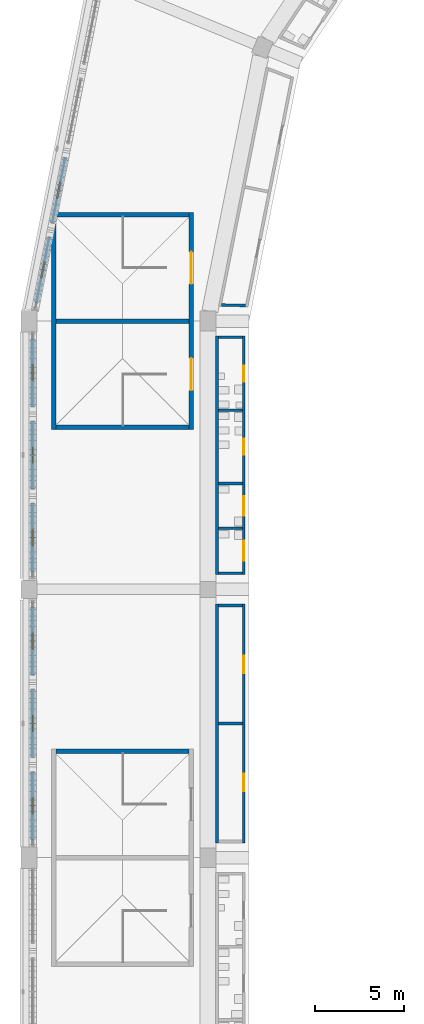
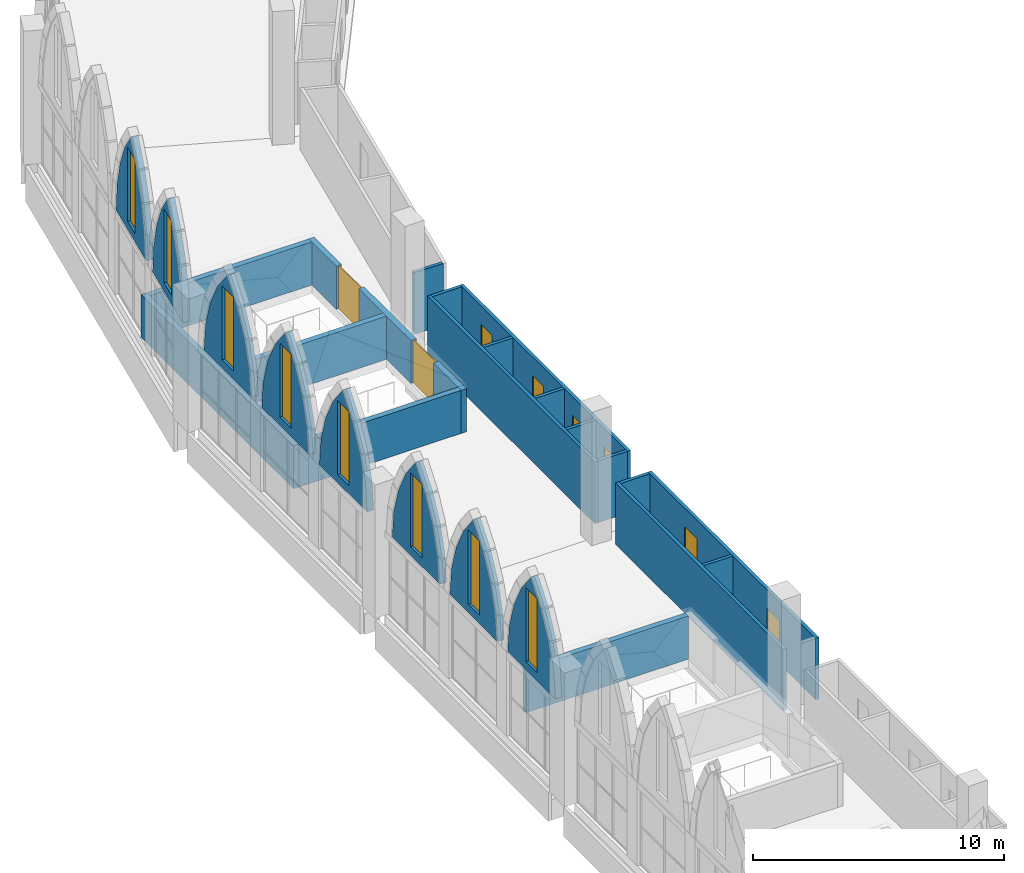
# One storey, part 77 of 130: 26 walls, 8 doors, 8 windows, 16 openings.
"""IFC4 building model written with IfcOpenShell, lengths in metres."""

from ifc_helpers import new_model, si_unit, direction, frame, frame_2d, origin, place, context, subcontext, project, spatial, polyline, rectangle, outline, extrude, material, layer, layer_set, type_object, element, fill, save


model = new_model("IFC4")

# Units and contexts
model_context = context("Model", 3, precision=1e-05, world=origin(), true_north=direction((0.0, 1.0)))
body_context = subcontext(model_context, "Body", "Model", "MODEL_VIEW")
ifc_project = project(units=[si_unit("LENGTHUNIT", "METRE"), si_unit("AREAUNIT", "SQUARE_METRE"), si_unit("VOLUMEUNIT", "CUBIC_METRE"), si_unit("PLANEANGLEUNIT", "RADIAN"), si_unit("MASSUNIT", "GRAM", prefix="KILO")], contexts=[model_context])

# Site, building, storey
site_placement = place(None, origin())
site = spatial("IfcSite", under=ifc_project, at=site_placement, CompositionType="ELEMENT")
building_placement = place(site_placement, origin())
building = spatial("IfcBuilding", under=site, at=building_placement, Name="Ogive Plaza Stadium", CompositionType="ELEMENT")
storey_placement = place(building_placement, frame((0.0, 0.0, 22.5)))
storey = spatial("IfcBuildingStorey", under=building, at=storey_placement, Name="L05", CompositionType="ELEMENT", Elevation=22.5)

# Wall, openings, doors
ifc_material_1 = material(Name="Masonry blockwork", Category="masonry")
ifc_layer_1 = layer(ifc_material_1, 0.14990234375)
ifc_layer_set_1 = layer_set([ifc_layer_1], Name="Blockwork wall 150")
wall_type_1 = type_object("IfcWallType", Name="Blockwork wall 150", PredefinedType="SOLIDWALL", material=ifc_layer_set_1)
wall_1_placement = place(storey_placement, frame((-72.0, 23.324951171875, 0.0), z_axis=(0.0, 0.0, 1.0), x_axis=(0.0, 1.0, 0.0)))
wall_1 = element("IfcWall", 1, at=wall_1_placement, inside=storey, type_object=wall_type_1, Name="Wall L05 B26", PredefinedType="SOLIDWALL", context=body_context, shape_type="SweptSolid", body=[
    extrude(rectangle(XDim=13.35009765625, YDim=0.14990234375, at=frame_2d((6.675048828125, 0.0))), origin(), (0.0, 0.0, 1.0), 3.0),
])
opening_1_placement = place(wall_1_placement, frame((2.875, 0.0, 0.0)))
opening_1 = element("IfcOpeningElement", 2, at=opening_1_placement, cuts=wall_1, Name="Opening D0993", PredefinedType="OPENING", context=body_context, shape_type="SweptSolid", body=[
    extrude(rectangle(XDim=1.0, YDim=2.10009765625, at=frame_2d((0.5, 1.050048828125))), frame((0.0, 0.074951171875, 0.0), z_axis=(0.0, -1.0, 0.0), x_axis=(1.0, 0.0, 0.0)), (0.0, 0.0, 1.0), 0.14990234375),
])
opening_2_placement = place(wall_1_placement, frame((9.47509765625, 0.0, 0.0)))
opening_2 = element("IfcOpeningElement", 3, at=opening_2_placement, cuts=wall_1, Name="Opening D0994", PredefinedType="OPENING", context=body_context, shape_type="SweptSolid", body=[
    extrude(rectangle(XDim=1.0, YDim=2.10009765625, at=frame_2d((0.5, 1.050048828125))), frame((0.0, 0.074951171875, 0.0), z_axis=(0.0, -1.0, 0.0), x_axis=(1.0, 0.0, 0.0)), (0.0, 0.0, 1.0), 0.14990234375),
])
ifc_material_2 = material(Name="Steel ASTM A572 Grade 50", Category="steel")
door_type_1 = type_object("IfcDoorType", Name="Door 1000 x 2100", OperationType="SINGLE_SWING_LEFT", PredefinedType="DOOR", material=ifc_material_2)
door_1_placement = place(opening_1_placement, origin())
door_1 = element("IfcDoor", 4, at=door_1_placement, inside=storey, type_object=door_type_1, Name="Concession Stand B26 door", OperationType="SINGLE_SWING_LEFT", OverallHeight=2.10009765625, OverallWidth=1.0, PredefinedType="DOOR", context=body_context, shape_type="SweptSolid", body=[
    extrude(rectangle(XDim=1.0, YDim=2.10009765625, at=frame_2d((0.5, 1.050048828125))), frame((0.0, 0.02490234375, 0.0), z_axis=(0.0, -1.0, 0.0), x_axis=(1.0, 0.0, 0.0)), (0.0, 0.0, 1.0), 0.050048828125),
])
fill(opening_1, door_1)
door_2_placement = place(opening_2_placement, origin())
door_2 = element("IfcDoor", 5, at=door_2_placement, inside=storey, type_object=door_type_1, Name="Concession Stand B26 door", OperationType="SINGLE_SWING_RIGHT", OverallHeight=2.10009765625, OverallWidth=1.0, PredefinedType="DOOR", context=body_context, shape_type="SweptSolid", body=[
    extrude(rectangle(XDim=1.0, YDim=2.10009765625, at=frame_2d((0.5, 1.050048828125))), frame((0.0, 0.02490234375, 0.0), z_axis=(0.0, -1.0, 0.0), x_axis=(1.0, 0.0, 0.0)), (0.0, 0.0, 1.0), 0.050048828125),
])
fill(opening_2, door_2)

# Walls
wall_2_placement = place(storey_placement, frame((-73.5, 23.324951171875, 0.0), z_axis=(0.0, 0.0, 1.0), x_axis=(0.0, 1.0, 0.0)))
element("IfcWall", 6, at=wall_2_placement, inside=storey, type_object=wall_type_1, Name="Wall L05 B26", PredefinedType="SOLIDWALL", context=body_context, shape_type="SweptSolid", body=[
    extrude(rectangle(XDim=13.35009765625, YDim=0.14990234375, at=frame_2d((6.675048828125, 0.0))), origin(), (0.0, 0.0, 1.0), 3.0),
])
for number, where, z_axis, x_axis, name in (
    (7, (-72.074951171875, 30.0, 0.0), (0.0, 0.0, 1.0), (-1.0, 0.0, 0.0), "Wall L05 B26"),
    (8, (-72.074951171875, 36.60009765625, 0.0), (0.0, 0.0, 1.0), (-1.0, 0.0, 0.0), "Wall L05 B26"),
):
    element("IfcWall", number, at=place(storey_placement, frame(where, z_axis=z_axis, x_axis=x_axis)), inside=storey, type_object=wall_type_1, Name=name, PredefinedType="SOLIDWALL", context=body_context, shape_type="SweptSolid", body=[
        extrude(rectangle(XDim=1.35009765625, YDim=0.14990234375, at=frame_2d((0.675048828125, 0.0))), origin(), (0.0, 0.0, 1.0), 3.0),
    ])
wall_3_placement = place(storey_placement, frame((-71.902587890625, 53.367431640625, 0.0), z_axis=(0.0, 0.0, 1.0), x_axis=(-0.999738070999, 0.022886445666, 0.0)))
element("IfcWall", 9, at=wall_3_placement, inside=storey, type_object=wall_type_1, Name="Wall L05 B28", PredefinedType="SOLIDWALL", context=body_context, shape_type="SweptSolid", body=[
    extrude(rectangle(XDim=1.343994140625, YDim=0.14990234375, at=frame_2d((0.671875, 0.0))), origin(), (0.0, 0.0, 1.0), 3.0),
])
ifc_material_3 = material(Name="Concrete C40/50", Category="concrete")
ifc_layer_2 = layer(ifc_material_3, 0.25)
ifc_layer_set_2 = layer_set([ifc_layer_2], Name="Concrete C40/50")
wall_type_2 = type_object("IfcWallType", Name="Core wall 250", PredefinedType="SHEAR", material=ifc_layer_set_2)
wall_4_placement = place(storey_placement, frame((-75.050048828125, 28.449951171875, 0.0), z_axis=(0.0, 0.0, 1.0), x_axis=(-1.0, 0.0, 0.0)))
element("IfcWall", 10, at=wall_4_placement, inside=storey, type_object=wall_type_2, Name="Stair core R26 side wall", PredefinedType="SHEAR", context=body_context, shape_type="SweptSolid", body=[
    extrude(rectangle(XDim=7.4599609375, YDim=0.25, at=frame_2d((3.72998046875, 0.0))), origin(), (0.0, 0.0, 1.0), 2.10009765625),
])

# Wall, openings, doors
wall_5_placement = place(storey_placement, frame((-74.925048828125, 58.574951171875, 0.0), z_axis=(0.0, 0.0, 1.0), x_axis=(0.0, -1.0, 0.0)))
wall_5 = element("IfcWall", 11, at=wall_5_placement, inside=storey, type_object=wall_type_2, Name="Stair core R28 inner wall", PredefinedType="SHEAR", context=body_context, shape_type="SweptSolid", body=[
    extrude(rectangle(XDim=12.14990234375, YDim=0.25, at=frame_2d((6.074951171875, 0.0))), origin(), (0.0, 0.0, 1.0), 2.10009765625),
])
opening_3_placement = place(wall_5_placement, frame((2.199951171875, 0.0, 0.0)))
opening_3 = element("IfcOpeningElement", 12, at=opening_3_placement, cuts=wall_5, Name="Opening D0219", PredefinedType="OPENING", context=body_context, shape_type="SweptSolid", body=[
    extrude(rectangle(XDim=1.800048828125, YDim=2.10009765625, at=frame_2d((0.89990234375, 1.050048828125))), frame((0.0, 0.125, 0.0), z_axis=(0.0, -1.0, 0.0), x_axis=(1.0, 0.0, 0.0)), (0.0, 0.0, 1.0), 0.25),
])
opening_4_placement = place(wall_5_placement, frame((8.14990234375, 0.0, 0.0)))
opening_4 = element("IfcOpeningElement", 13, at=opening_4_placement, cuts=wall_5, Name="Opening D0220", PredefinedType="OPENING", context=body_context, shape_type="SweptSolid", body=[
    extrude(rectangle(XDim=1.800048828125, YDim=2.10009765625, at=frame_2d((0.89990234375, 1.050048828125))), frame((0.0, 0.125, 0.0), z_axis=(0.0, -1.0, 0.0), x_axis=(1.0, 0.0, 0.0)), (0.0, 0.0, 1.0), 0.25),
])
ifc_material_4 = material(Name="Steel ASTM A572 Grade 50", Category="steel")
door_type_2 = type_object("IfcDoorType", Name="Fire door FD90 pair 1800 x 2100", OperationType="DOUBLE_DOOR_SINGLE_SWING", PredefinedType="DOOR", material=ifc_material_4)
door_3_placement = place(opening_3_placement, origin())
door_3 = element("IfcDoor", 14, at=door_3_placement, inside=storey, type_object=door_type_2, Name="Exit stair R28A door L05", OperationType="DOUBLE_DOOR_SINGLE_SWING", OverallHeight=2.10009765625, OverallWidth=1.800048828125, PredefinedType="DOOR", context=body_context, shape_type="SweptSolid", body=[
    extrude(rectangle(XDim=1.800048828125, YDim=2.10009765625, at=frame_2d((0.89990234375, 1.050048828125))), frame((0.0, 0.02490234375, 0.0), z_axis=(0.0, -1.0, 0.0), x_axis=(1.0, 0.0, 0.0)), (0.0, 0.0, 1.0), 0.050048828125),
])
fill(opening_3, door_3)
door_4_placement = place(opening_4_placement, origin())
door_4 = element("IfcDoor", 15, at=door_4_placement, inside=storey, type_object=door_type_2, Name="Exit stair R28B door L05", OperationType="DOUBLE_DOOR_SINGLE_SWING", OverallHeight=2.10009765625, OverallWidth=1.800048828125, PredefinedType="DOOR", context=body_context, shape_type="SweptSolid", body=[
    extrude(rectangle(XDim=1.800048828125, YDim=2.10009765625, at=frame_2d((0.89990234375, 1.050048828125))), frame((0.0, 0.02490234375, 0.0), z_axis=(0.0, -1.0, 0.0), x_axis=(1.0, 0.0, 0.0)), (0.0, 0.0, 1.0), 0.050048828125),
])
fill(opening_4, door_4)

# Walls
wall_6_placement = place(storey_placement, frame((-82.635009765625, 58.574951171875, 0.0), z_axis=(0.0, 0.0, 1.0), x_axis=(0.0, -1.0, 0.0)))
element("IfcWall", 16, at=wall_6_placement, inside=storey, type_object=wall_type_2, Name="Stair core R28 outer wall", PredefinedType="SHEAR", context=body_context, shape_type="SweptSolid", body=[
    extrude(rectangle(XDim=12.14990234375, YDim=0.25, at=frame_2d((6.074951171875, 0.0))), origin(), (0.0, 0.0, 1.0), 2.10009765625),
])
for number, where, z_axis, x_axis, name in (
    (17, (-75.050048828125, 58.449951171875, 0.0), (0.0, 0.0, 1.0), (-1.0, 0.0, 0.0), "Stair core R28 side wall"),
    (18, (-75.050048828125, 46.550048828125, 0.0), (0.0, 0.0, 1.0), (-1.0, 0.0, 0.0), "Stair core R28 side wall"),
    (19, (-75.050048828125, 52.5, 0.0), (0.0, 0.0, 1.0), (-1.0, 0.0, 0.0), "Stair core R28 centre wall"),
):
    element("IfcWall", number, at=place(storey_placement, frame(where, z_axis=z_axis, x_axis=x_axis)), inside=storey, type_object=wall_type_2, Name=name, PredefinedType="SHEAR", context=body_context, shape_type="SweptSolid", body=[
        extrude(rectangle(XDim=7.4599609375, YDim=0.25, at=frame_2d((3.72998046875, 0.0))), origin(), (0.0, 0.0, 1.0), 2.10009765625),
    ])

# Wall, openings, doors
ifc_material_5 = material(Name="Gypsum board partition", Category="gypsum")
ifc_layer_3 = layer(ifc_material_5, 0.14990234375)
ifc_layer_set_3 = layer_set([ifc_layer_3], Name="Partition 150")
wall_type_3 = type_object("IfcWallType", Name="Partition 150", PredefinedType="PARTITIONING", material=ifc_layer_set_3)
wall_7_placement = place(storey_placement, frame((-72.0, 51.675048828125, 0.0), z_axis=(0.0, 0.0, 1.0), x_axis=(0.0, -1.0, 0.0)))
wall_7 = element("IfcWall", 20, at=wall_7_placement, inside=storey, type_object=wall_type_3, Name="Wall L05 B27", PredefinedType="PARTITIONING", context=body_context, shape_type="SweptSolid", body=[
    extrude(rectangle(XDim=13.35009765625, YDim=0.14990234375, at=frame_2d((6.675048828125, 0.0))), origin(), (0.0, 0.0, 1.0), 3.0),
])
opening_5_placement = place(wall_7_placement, frame((1.6708984375, 0.0, 0.0)))
opening_5 = element("IfcOpeningElement", 21, at=opening_5_placement, cuts=wall_7, Name="Opening D0995", PredefinedType="OPENING", context=body_context, shape_type="SweptSolid", body=[
    extrude(rectangle(XDim=0.89990234375, YDim=2.10009765625, at=frame_2d((0.449951171875, 1.050048828125))), frame((0.0, 0.074951171875, 0.0), z_axis=(0.0, -1.0, 0.0), x_axis=(1.0, 0.0, 0.0)), (0.0, 0.0, 1.0), 0.14990234375),
])
opening_6_placement = place(wall_7_placement, frame((5.762939453125, 0.0, 0.0)))
opening_6 = element("IfcOpeningElement", 22, at=opening_6_placement, cuts=wall_7, Name="Opening D0996", PredefinedType="OPENING", context=body_context, shape_type="SweptSolid", body=[
    extrude(rectangle(XDim=0.89990234375, YDim=2.10009765625, at=frame_2d((0.449951171875, 1.050048828125))), frame((0.0, 0.074951171875, 0.0), z_axis=(0.0, -1.0, 0.0), x_axis=(1.0, 0.0, 0.0)), (0.0, 0.0, 1.0), 0.14990234375),
])
opening_7_placement = place(wall_7_placement, frame((8.962890625, 0.0, 0.0)))
opening_7 = element("IfcOpeningElement", 23, at=opening_7_placement, cuts=wall_7, Name="Opening D0997", PredefinedType="OPENING", context=body_context, shape_type="SweptSolid", body=[
    extrude(rectangle(XDim=1.10009765625, YDim=2.10009765625, at=frame_2d((0.550048828125, 1.050048828125))), frame((0.0, 0.074951171875, 0.0), z_axis=(0.0, -1.0, 0.0), x_axis=(1.0, 0.0, 0.0)), (0.0, 0.0, 1.0), 0.14990234375),
])
opening_8_placement = place(wall_7_placement, frame((11.470947265625, 0.0, 0.0)))
opening_8 = element("IfcOpeningElement", 24, at=opening_8_placement, cuts=wall_7, Name="Opening D0998", PredefinedType="OPENING", context=body_context, shape_type="SweptSolid", body=[
    extrude(rectangle(XDim=1.10009765625, YDim=2.10009765625, at=frame_2d((0.550048828125, 1.050048828125))), frame((0.0, 0.074951171875, 0.0), z_axis=(0.0, -1.0, 0.0), x_axis=(1.0, 0.0, 0.0)), (0.0, 0.0, 1.0), 0.14990234375),
])
ifc_material_6 = material(Name="Steel ASTM A572 Grade 50", Category="steel")
door_type_3 = type_object("IfcDoorType", Name="Accessible door 1100 x 2100", OperationType="SINGLE_SWING_LEFT", PredefinedType="DOOR", material=ifc_material_6)
door_5_placement = place(opening_7_placement, origin())
door_5 = element("IfcDoor", 25, at=door_5_placement, inside=storey, type_object=door_type_3, Name="Accessible WC B27 door", OperationType="SINGLE_SWING_RIGHT", OverallHeight=2.10009765625, OverallWidth=1.10009765625, PredefinedType="DOOR", context=body_context, shape_type="SweptSolid", body=[
    extrude(rectangle(XDim=1.10009765625, YDim=2.10009765625, at=frame_2d((0.550048828125, 1.050048828125))), frame((0.0, 0.02490234375, 0.0), z_axis=(0.0, -1.0, 0.0), x_axis=(1.0, 0.0, 0.0)), (0.0, 0.0, 1.0), 0.050048828125),
])
fill(opening_7, door_5)
door_6_placement = place(opening_8_placement, origin())
door_6 = element("IfcDoor", 26, at=door_6_placement, inside=storey, type_object=door_type_3, Name="Family WC B27 door", OperationType="SINGLE_SWING_LEFT", OverallHeight=2.10009765625, OverallWidth=1.10009765625, PredefinedType="DOOR", context=body_context, shape_type="SweptSolid", body=[
    extrude(rectangle(XDim=1.10009765625, YDim=2.10009765625, at=frame_2d((0.550048828125, 1.050048828125))), frame((0.0, 0.02490234375, 0.0), z_axis=(0.0, -1.0, 0.0), x_axis=(1.0, 0.0, 0.0)), (0.0, 0.0, 1.0), 0.050048828125),
])
fill(opening_8, door_6)
ifc_material_7 = material(Name="Steel ASTM A572 Grade 50", Category="steel")
door_type_4 = type_object("IfcDoorType", Name="Door 900 x 2100", OperationType="SINGLE_SWING_LEFT", PredefinedType="DOOR", material=ifc_material_7)
door_7_placement = place(opening_5_placement, origin())
door_7 = element("IfcDoor", 27, at=door_7_placement, inside=storey, type_object=door_type_4, Name="Men's Toilet B27 door", OperationType="SINGLE_SWING_RIGHT", OverallHeight=2.10009765625, OverallWidth=0.89990234375, PredefinedType="DOOR", context=body_context, shape_type="SweptSolid", body=[
    extrude(rectangle(XDim=0.89990234375, YDim=2.10009765625, at=frame_2d((0.449951171875, 1.050048828125))), frame((0.0, 0.02490234375, 0.0), z_axis=(0.0, -1.0, 0.0), x_axis=(1.0, 0.0, 0.0)), (0.0, 0.0, 1.0), 0.050048828125),
])
fill(opening_5, door_7)
door_8_placement = place(opening_6_placement, origin())
door_8 = element("IfcDoor", 28, at=door_8_placement, inside=storey, type_object=door_type_4, Name="Women's Toilet B27 door", OperationType="SINGLE_SWING_LEFT", OverallHeight=2.10009765625, OverallWidth=0.89990234375, PredefinedType="DOOR", context=body_context, shape_type="SweptSolid", body=[
    extrude(rectangle(XDim=0.89990234375, YDim=2.10009765625, at=frame_2d((0.449951171875, 1.050048828125))), frame((0.0, 0.02490234375, 0.0), z_axis=(0.0, -1.0, 0.0), x_axis=(1.0, 0.0, 0.0)), (0.0, 0.0, 1.0), 0.050048828125),
])
fill(opening_6, door_8)

# Walls
wall_8_placement = place(storey_placement, frame((-73.5, 51.675048828125, 0.0), z_axis=(0.0, 0.0, 1.0), x_axis=(0.0, -1.0, 0.0)))
element("IfcWall", 29, at=wall_8_placement, inside=storey, type_object=wall_type_3, Name="Wall L05 B27", PredefinedType="PARTITIONING", context=body_context, shape_type="SweptSolid", body=[
    extrude(rectangle(XDim=13.35009765625, YDim=0.14990234375, at=frame_2d((6.675048828125, 0.0))), origin(), (0.0, 0.0, 1.0), 3.0),
])
for number, where, z_axis, x_axis, name in (
    (30, (-72.074951171875, 51.60009765625, 0.0), (0.0, 0.0, 1.0), (-1.0, 0.0, 0.0), "Wall L05 B27"),
    (31, (-72.074951171875, 47.508056640625, 0.0), (0.0, 0.0, 1.0), (-1.0, 0.0, 0.0), "Wall L05 B27"),
    (32, (-72.074951171875, 43.416015625, 0.0), (0.0, 0.0, 1.0), (-1.0, 0.0, 0.0), "Wall L05 B27"),
    (33, (-72.074951171875, 40.907958984375, 0.0), (0.0, 0.0, 1.0), (-1.0, 0.0, 0.0), "Wall L05 B27"),
    (34, (-72.074951171875, 38.39990234375, 0.0), (0.0, 0.0, 1.0), (-1.0, 0.0, 0.0), "Wall L05 B27"),
):
    element("IfcWall", number, at=place(storey_placement, frame(where, z_axis=z_axis, x_axis=x_axis)), inside=storey, type_object=wall_type_3, Name=name, PredefinedType="PARTITIONING", context=body_context, shape_type="SweptSolid", body=[
        extrude(rectangle(XDim=1.35009765625, YDim=0.14990234375, at=frame_2d((0.675048828125, 0.0))), origin(), (0.0, 0.0, 1.0), 3.0),
    ])

# Wall, opening, window
ifc_material_8 = material(Name="Concrete C45/55 precast", Category="concrete")
ifc_layer_4 = layer(ifc_material_8, 0.25)
ifc_material_9 = material(Name="Cast stone (reconstituted limestone)", Category="masonry")
ifc_layer_5 = layer(ifc_material_9, 0.050048828125)
ifc_layer_set_4 = layer_set([ifc_layer_4, ifc_layer_5], Name="Concrete C45/55 precast, cast stone facing")
wall_type_4 = type_object("IfcWallType", Name="Tympanum wall 300", PredefinedType="SOLIDWALL", material=ifc_layer_set_4)
wall_9_placement = place(storey_placement, frame((-83.800048828125, 23.5, 4.10009765625), z_axis=(0.0, 0.0, 1.0), x_axis=(0.0, 1.0, 0.0)))
wall_9 = element("IfcWall", 35, at=wall_9_placement, inside=storey, type_object=wall_type_4, Name="TYMPANUM B26 1", PredefinedType="SOLIDWALL", context=body_context, shape_type="SweptSolid", body=[
    extrude(outline(polyline([(0.0, 0.0), (3.800048828125, 0.0), (3.800048828125, 0.0498046875), (3.67578125, 1.313720703125), (3.3076171875, 2.5810546875), (2.708740234375, 3.757080078125), (1.89990234375, 4.7998046875), (1.09130859375, 3.757080078125), (0.4921875, 2.5810546875), (0.124267578125, 1.313720703125), (0.0, 0.0498046875), (0.0, 0.0)])), frame((0.0, 0.14990234375, 0.0), z_axis=(0.0, -1.0, 0.0), x_axis=(1.0, 0.0, 0.0)), (0.0, 0.0, 1.0), 0.300048828125),
])
opening_9_placement = place(wall_9_placement, frame((1.449951171875, 0.0, 0.39990234375)))
opening_9 = element("IfcOpeningElement", 36, at=opening_9_placement, cuts=wall_9, Name="Opening W-26-1", PredefinedType="OPENING", context=body_context, shape_type="SweptSolid", body=[
    extrude(rectangle(XDim=0.89990234375, YDim=3.60009765625, at=frame_2d((0.449951171875, 1.800048828125))), frame((0.0, 0.16015625, 0.0), z_axis=(0.0, -1.0, 0.0), x_axis=(1.0, 0.0, 0.0)), (0.0, 0.0, 1.0), 0.320068359375),
])
ifc_material_10 = material(Name="Bronze-anodised aluminium and laminated glass", Category="aluminium")
window_type = type_object("IfcWindowType", Name="Lancet window 900 x 3600", PartitioningType="SINGLE_PANEL", PredefinedType="WINDOW", material=ifc_material_10)
window_1_placement = place(opening_9_placement, origin())
window_1 = element("IfcWindow", 37, at=window_1_placement, inside=storey, type_object=window_type, Name="LANCET WINDOW B26 1", OverallHeight=3.60009765625, OverallWidth=0.89990234375, PartitioningType="SINGLE_PANEL", PredefinedType="WINDOW", context=body_context, shape_type="SweptSolid", body=[
    extrude(rectangle(XDim=0.89990234375, YDim=3.60009765625, at=frame_2d((0.449951171875, 1.800048828125))), frame((0.0, 0.030029296875, 0.0), z_axis=(0.0, -1.0, 0.0), x_axis=(1.0, 0.0, 0.0)), (0.0, 0.0, 1.0), 0.06005859375),
])
fill(opening_9, window_1)

wall_10_placement = place(storey_placement, frame((-83.800048828125, 28.10009765625, 4.10009765625), z_axis=(0.0, 0.0, 1.0), x_axis=(0.0, 1.0, 0.0)))
wall_10 = element("IfcWall", 38, at=wall_10_placement, inside=storey, type_object=wall_type_4, Name="TYMPANUM B26 2", PredefinedType="SOLIDWALL", context=body_context, shape_type="SweptSolid", body=[
    extrude(outline(polyline([(0.0, 0.0), (3.7998046875, 0.0), (3.800048828125, 0.0498046875), (3.67578125, 1.313720703125), (3.3076171875, 2.5810546875), (2.708740234375, 3.757080078125), (1.89990234375, 4.7998046875), (1.09130859375, 3.757080078125), (0.4921875, 2.5810546875), (0.124267578125, 1.313720703125), (0.0, 0.0498046875), (0.0, 0.0)])), frame((0.0, 0.14990234375, 0.0), z_axis=(0.0, -1.0, 0.0), x_axis=(1.0, 0.0, 0.0)), (0.0, 0.0, 1.0), 0.300048828125),
])
opening_10_placement = place(wall_10_placement, frame((1.449951171875, 0.0, 0.39990234375)))
opening_10 = element("IfcOpeningElement", 39, at=opening_10_placement, cuts=wall_10, Name="Opening W-26-2", PredefinedType="OPENING", context=body_context, shape_type="SweptSolid", body=[
    extrude(rectangle(XDim=0.89990234375, YDim=3.60009765625, at=frame_2d((0.449951171875, 1.800048828125))), frame((0.0, 0.16015625, 0.0), z_axis=(0.0, -1.0, 0.0), x_axis=(1.0, 0.0, 0.0)), (0.0, 0.0, 1.0), 0.320068359375),
])
window_2_placement = place(opening_10_placement, origin())
window_2 = element("IfcWindow", 40, at=window_2_placement, inside=storey, type_object=window_type, Name="LANCET WINDOW B26 2", OverallHeight=3.60009765625, OverallWidth=0.89990234375, PartitioningType="SINGLE_PANEL", PredefinedType="WINDOW", context=body_context, shape_type="SweptSolid", body=[
    extrude(rectangle(XDim=0.89990234375, YDim=3.60009765625, at=frame_2d((0.449951171875, 1.800048828125))), frame((0.0, 0.030029296875, 0.0), z_axis=(0.0, -1.0, 0.0), x_axis=(1.0, 0.0, 0.0)), (0.0, 0.0, 1.0), 0.06005859375),
])
fill(opening_10, window_2)

wall_11_placement = place(storey_placement, frame((-83.800048828125, 32.699951171875, 4.10009765625), z_axis=(0.0, 0.0, 1.0), x_axis=(0.0, 1.0, 0.0)))
wall_11 = element("IfcWall", 41, at=wall_11_placement, inside=storey, type_object=wall_type_4, Name="TYMPANUM B26 3", PredefinedType="SOLIDWALL", context=body_context, shape_type="SweptSolid", body=[
    extrude(outline(polyline([(0.0, 0.0), (3.800048828125, 0.0), (3.800048828125, 0.0498046875), (3.67578125, 1.313720703125), (3.3076171875, 2.5810546875), (2.708740234375, 3.757080078125), (1.89990234375, 4.7998046875), (1.09130859375, 3.757080078125), (0.4921875, 2.5810546875), (0.124267578125, 1.313720703125), (0.0, 0.0498046875), (0.0, 0.0)])), frame((0.0, 0.14990234375, 0.0), z_axis=(0.0, -1.0, 0.0), x_axis=(1.0, 0.0, 0.0)), (0.0, 0.0, 1.0), 0.300048828125),
])
opening_11_placement = place(wall_11_placement, frame((1.449951171875, 0.0, 0.39990234375)))
opening_11 = element("IfcOpeningElement", 42, at=opening_11_placement, cuts=wall_11, Name="Opening W-26-3", PredefinedType="OPENING", context=body_context, shape_type="SweptSolid", body=[
    extrude(rectangle(XDim=0.89990234375, YDim=3.60009765625, at=frame_2d((0.449951171875, 1.800048828125))), frame((0.0, 0.16015625, 0.0), z_axis=(0.0, -1.0, 0.0), x_axis=(1.0, 0.0, 0.0)), (0.0, 0.0, 1.0), 0.320068359375),
])
window_3_placement = place(opening_11_placement, origin())
window_3 = element("IfcWindow", 43, at=window_3_placement, inside=storey, type_object=window_type, Name="LANCET WINDOW B26 3", OverallHeight=3.60009765625, OverallWidth=0.89990234375, PartitioningType="SINGLE_PANEL", PredefinedType="WINDOW", context=body_context, shape_type="SweptSolid", body=[
    extrude(rectangle(XDim=0.89990234375, YDim=3.60009765625, at=frame_2d((0.449951171875, 1.800048828125))), frame((0.0, 0.030029296875, 0.0), z_axis=(0.0, -1.0, 0.0), x_axis=(1.0, 0.0, 0.0)), (0.0, 0.0, 1.0), 0.06005859375),
])
fill(opening_11, window_3)

wall_12_placement = place(storey_placement, frame((-83.800048828125, 38.5, 4.10009765625), z_axis=(0.0, 0.0, 1.0), x_axis=(0.0, 1.0, 0.0)))
wall_12 = element("IfcWall", 44, at=wall_12_placement, inside=storey, type_object=wall_type_4, Name="TYMPANUM B27 1", PredefinedType="SOLIDWALL", context=body_context, shape_type="SweptSolid", body=[
    extrude(outline(polyline([(0.0, 0.0), (3.800048828125, 0.0), (3.800048828125, 0.0498046875), (3.67578125, 1.313720703125), (3.3076171875, 2.5810546875), (2.708740234375, 3.757080078125), (1.89990234375, 4.7998046875), (1.09130859375, 3.757080078125), (0.4921875, 2.5810546875), (0.124267578125, 1.313720703125), (0.0, 0.0498046875), (0.0, 0.0)])), frame((0.0, 0.14990234375, 0.0), z_axis=(0.0, -1.0, 0.0), x_axis=(1.0, 0.0, 0.0)), (0.0, 0.0, 1.0), 0.300048828125),
])
opening_12_placement = place(wall_12_placement, frame((1.449951171875, 0.0, 0.39990234375)))
opening_12 = element("IfcOpeningElement", 45, at=opening_12_placement, cuts=wall_12, Name="Opening W-27-1", PredefinedType="OPENING", context=body_context, shape_type="SweptSolid", body=[
    extrude(rectangle(XDim=0.89990234375, YDim=3.60009765625, at=frame_2d((0.449951171875, 1.800048828125))), frame((0.0, 0.16015625, 0.0), z_axis=(0.0, -1.0, 0.0), x_axis=(1.0, 0.0, 0.0)), (0.0, 0.0, 1.0), 0.320068359375),
])
window_4_placement = place(opening_12_placement, origin())
window_4 = element("IfcWindow", 46, at=window_4_placement, inside=storey, type_object=window_type, Name="LANCET WINDOW B27 1", OverallHeight=3.60009765625, OverallWidth=0.89990234375, PartitioningType="SINGLE_PANEL", PredefinedType="WINDOW", context=body_context, shape_type="SweptSolid", body=[
    extrude(rectangle(XDim=0.89990234375, YDim=3.60009765625, at=frame_2d((0.449951171875, 1.800048828125))), frame((0.0, 0.030029296875, 0.0), z_axis=(0.0, -1.0, 0.0), x_axis=(1.0, 0.0, 0.0)), (0.0, 0.0, 1.0), 0.06005859375),
])
fill(opening_12, window_4)

wall_13_placement = place(storey_placement, frame((-83.800048828125, 43.10009765625, 4.10009765625), z_axis=(0.0, 0.0, 1.0), x_axis=(0.0, 1.0, 0.0)))
wall_13 = element("IfcWall", 47, at=wall_13_placement, inside=storey, type_object=wall_type_4, Name="TYMPANUM B27 2", PredefinedType="SOLIDWALL", context=body_context, shape_type="SweptSolid", body=[
    extrude(outline(polyline([(0.0, 0.0), (3.7998046875, 0.0), (3.800048828125, 0.0498046875), (3.67578125, 1.313720703125), (3.3076171875, 2.5810546875), (2.708740234375, 3.757080078125), (1.89990234375, 4.7998046875), (1.09130859375, 3.757080078125), (0.4921875, 2.5810546875), (0.124267578125, 1.313720703125), (0.0, 0.0498046875), (0.0, 0.0)])), frame((0.0, 0.14990234375, 0.0), z_axis=(0.0, -1.0, 0.0), x_axis=(1.0, 0.0, 0.0)), (0.0, 0.0, 1.0), 0.300048828125),
])
opening_13_placement = place(wall_13_placement, frame((1.449951171875, 0.0, 0.39990234375)))
opening_13 = element("IfcOpeningElement", 48, at=opening_13_placement, cuts=wall_13, Name="Opening W-27-2", PredefinedType="OPENING", context=body_context, shape_type="SweptSolid", body=[
    extrude(rectangle(XDim=0.89990234375, YDim=3.60009765625, at=frame_2d((0.449951171875, 1.800048828125))), frame((0.0, 0.16015625, 0.0), z_axis=(0.0, -1.0, 0.0), x_axis=(1.0, 0.0, 0.0)), (0.0, 0.0, 1.0), 0.320068359375),
])
window_5_placement = place(opening_13_placement, origin())
window_5 = element("IfcWindow", 49, at=window_5_placement, inside=storey, type_object=window_type, Name="LANCET WINDOW B27 2", OverallHeight=3.60009765625, OverallWidth=0.89990234375, PartitioningType="SINGLE_PANEL", PredefinedType="WINDOW", context=body_context, shape_type="SweptSolid", body=[
    extrude(rectangle(XDim=0.89990234375, YDim=3.60009765625, at=frame_2d((0.449951171875, 1.800048828125))), frame((0.0, 0.030029296875, 0.0), z_axis=(0.0, -1.0, 0.0), x_axis=(1.0, 0.0, 0.0)), (0.0, 0.0, 1.0), 0.06005859375),
])
fill(opening_13, window_5)

wall_14_placement = place(storey_placement, frame((-83.800048828125, 47.699951171875, 4.10009765625), z_axis=(0.0, 0.0, 1.0), x_axis=(0.0, 1.0, 0.0)))
wall_14 = element("IfcWall", 50, at=wall_14_placement, inside=storey, type_object=wall_type_4, Name="TYMPANUM B27 3", PredefinedType="SOLIDWALL", context=body_context, shape_type="SweptSolid", body=[
    extrude(outline(polyline([(0.0, 0.0), (3.800048828125, 0.0), (3.800048828125, 0.0498046875), (3.67578125, 1.313720703125), (3.3076171875, 2.5810546875), (2.708740234375, 3.757080078125), (1.89990234375, 4.7998046875), (1.09130859375, 3.757080078125), (0.4921875, 2.5810546875), (0.124267578125, 1.313720703125), (0.0, 0.0498046875), (0.0, 0.0)])), frame((0.0, 0.14990234375, 0.0), z_axis=(0.0, -1.0, 0.0), x_axis=(1.0, 0.0, 0.0)), (0.0, 0.0, 1.0), 0.300048828125),
])
opening_14_placement = place(wall_14_placement, frame((1.449951171875, 0.0, 0.39990234375)))
opening_14 = element("IfcOpeningElement", 51, at=opening_14_placement, cuts=wall_14, Name="Opening W-27-3", PredefinedType="OPENING", context=body_context, shape_type="SweptSolid", body=[
    extrude(rectangle(XDim=0.89990234375, YDim=3.60009765625, at=frame_2d((0.449951171875, 1.800048828125))), frame((0.0, 0.16015625, 0.0), z_axis=(0.0, -1.0, 0.0), x_axis=(1.0, 0.0, 0.0)), (0.0, 0.0, 1.0), 0.320068359375),
])
window_6_placement = place(opening_14_placement, origin())
window_6 = element("IfcWindow", 52, at=window_6_placement, inside=storey, type_object=window_type, Name="LANCET WINDOW B27 3", OverallHeight=3.60009765625, OverallWidth=0.89990234375, PartitioningType="SINGLE_PANEL", PredefinedType="WINDOW", context=body_context, shape_type="SweptSolid", body=[
    extrude(rectangle(XDim=0.89990234375, YDim=3.60009765625, at=frame_2d((0.449951171875, 1.800048828125))), frame((0.0, 0.030029296875, 0.0), z_axis=(0.0, -1.0, 0.0), x_axis=(1.0, 0.0, 0.0)), (0.0, 0.0, 1.0), 0.06005859375),
])
fill(opening_14, window_6)

wall_15_placement = place(storey_placement, frame((-83.5908203125, 53.53125, 4.10009765625), z_axis=(0.0, 0.0, 1.0), x_axis=(0.195033975516, 0.980796486736, 0.0)))
wall_15 = element("IfcWall", 53, at=wall_15_placement, inside=storey, type_object=wall_type_4, Name="TYMPANUM B28 1", PredefinedType="SOLIDWALL", context=body_context, shape_type="SweptSolid", body=[
    extrude(outline(polyline([(0.0, 0.0), (3.731689453125, 0.0), (3.731689453125, 0.0498046875), (3.60986328125, 1.309814453125), (3.248779296875, 2.574951171875), (2.66064453125, 3.751708984375), (1.86572265625, 4.7998046875), (1.07080078125, 3.751708984375), (0.48291015625, 2.574951171875), (0.121826171875, 1.309814453125), (0.0, 0.0498046875), (0.0, 0.0)])), frame((0.0, 0.14990234375, 0.0), z_axis=(0.0, -1.0, 0.0), x_axis=(1.0, 0.0, 0.0)), (0.0, 0.0, 1.0), 0.300048828125),
])
opening_15_placement = place(wall_15_placement, frame((1.415771484375, 0.0, 0.39990234375)))
opening_15 = element("IfcOpeningElement", 54, at=opening_15_placement, cuts=wall_15, Name="Opening W-28-1", PredefinedType="OPENING", context=body_context, shape_type="SweptSolid", body=[
    extrude(rectangle(XDim=0.89990234375, YDim=3.60009765625, at=frame_2d((0.449951171875, 1.800048828125))), frame((0.0, 0.16015625, 0.0), z_axis=(0.0, -1.0, 0.0), x_axis=(1.0, 0.0, 0.0)), (0.0, 0.0, 1.0), 0.320068359375),
])
window_7_placement = place(opening_15_placement, origin())
window_7 = element("IfcWindow", 55, at=window_7_placement, inside=storey, type_object=window_type, Name="LANCET WINDOW B28 1", OverallHeight=3.60009765625, OverallWidth=0.89990234375, PartitioningType="SINGLE_PANEL", PredefinedType="WINDOW", context=body_context, shape_type="SweptSolid", body=[
    extrude(rectangle(XDim=0.89990234375, YDim=3.60009765625, at=frame_2d((0.449951171875, 1.800048828125))), frame((0.0, 0.030029296875, 0.0), z_axis=(0.0, -1.0, 0.0), x_axis=(1.0, 0.0, 0.0)), (0.0, 0.0, 1.0), 0.06005859375),
])
fill(opening_15, window_7)

wall_16_placement = place(storey_placement, frame((-82.706787109375, 57.975830078125, 4.10009765625), z_axis=(0.0, 0.0, 1.0), x_axis=(0.19509691132, 0.980783969686, 0.0)))
wall_16 = element("IfcWall", 56, at=wall_16_placement, inside=storey, type_object=wall_type_4, Name="TYMPANUM B28 2", PredefinedType="SOLIDWALL", context=body_context, shape_type="SweptSolid", body=[
    extrude(outline(polyline([(0.0, 0.0), (3.731689453125, 0.0), (3.731689453125, 0.0498046875), (3.60986328125, 1.309814453125), (3.248779296875, 2.574951171875), (2.66064453125, 3.751708984375), (1.86572265625, 4.7998046875), (1.07080078125, 3.751708984375), (0.48291015625, 2.574951171875), (0.121826171875, 1.309814453125), (0.0, 0.0498046875), (0.0, 0.0)])), frame((0.0, 0.14990234375, 0.0), z_axis=(0.0, -1.0, 0.0), x_axis=(1.0, 0.0, 0.0)), (0.0, 0.0, 1.0), 0.300048828125),
])
opening_16_placement = place(wall_16_placement, frame((1.415771484375, 0.0, 0.39990234375)))
opening_16 = element("IfcOpeningElement", 57, at=opening_16_placement, cuts=wall_16, Name="Opening W-28-2", PredefinedType="OPENING", context=body_context, shape_type="SweptSolid", body=[
    extrude(rectangle(XDim=0.89990234375, YDim=3.60009765625, at=frame_2d((0.449951171875, 1.800048828125))), frame((0.0, 0.16015625, 0.0), z_axis=(0.0, -1.0, 0.0), x_axis=(1.0, 0.0, 0.0)), (0.0, 0.0, 1.0), 0.320068359375),
])
window_8_placement = place(opening_16_placement, origin())
window_8 = element("IfcWindow", 58, at=window_8_placement, inside=storey, type_object=window_type, Name="LANCET WINDOW B28 2", OverallHeight=3.60009765625, OverallWidth=0.89990234375, PartitioningType="SINGLE_PANEL", PredefinedType="WINDOW", context=body_context, shape_type="SweptSolid", body=[
    extrude(rectangle(XDim=0.89990234375, YDim=3.60009765625, at=frame_2d((0.449951171875, 1.800048828125))), frame((0.0, 0.030029296875, 0.0), z_axis=(0.0, -1.0, 0.0), x_axis=(1.0, 0.0, 0.0)), (0.0, 0.0, 1.0), 0.06005859375),
])
fill(opening_16, window_8)

save(model, "model.ifc")
